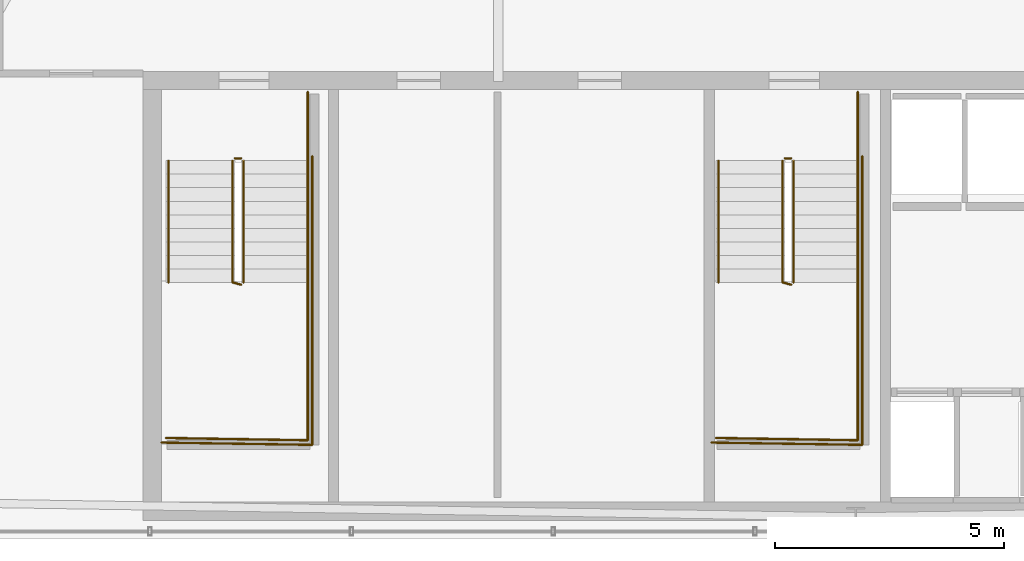
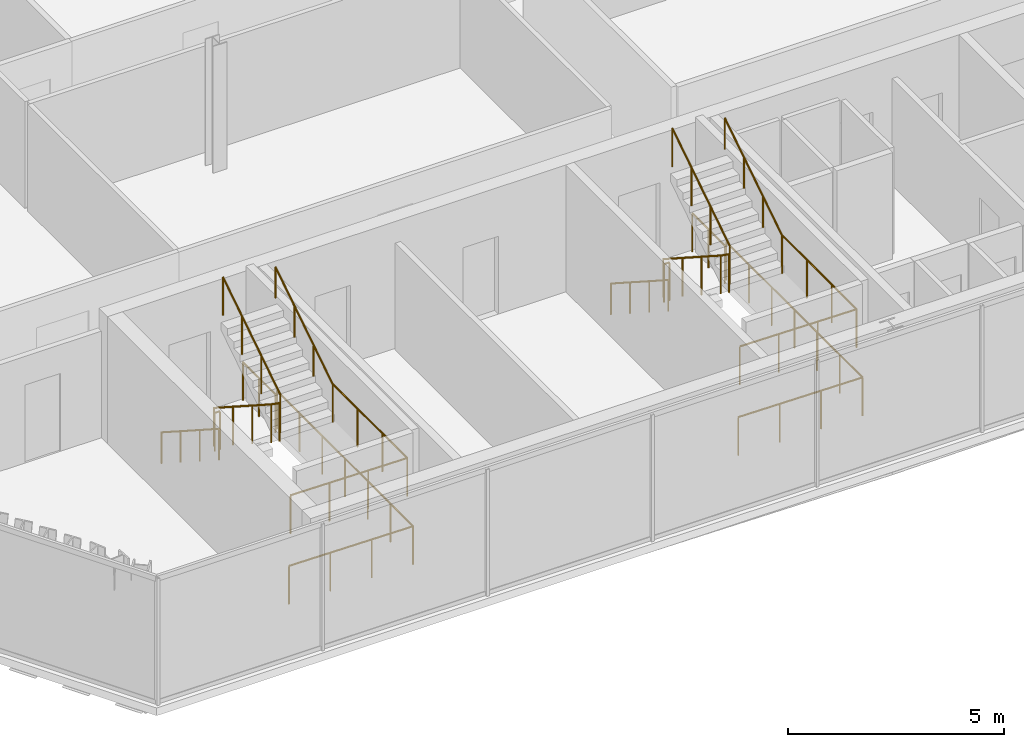
# One storey, part 30 of 32: 16 railings.
"""IFC4 building model written with IfcOpenShell, lengths in metres."""

from ifc_helpers import new_model, si_unit, direction, frame, origin, origin_2d, place, context, subcontext, project, spatial, circle, extrude, material, layer, layer_set, type_object, element, save


model = new_model("IFC4")

# Units and contexts
model_context = context("Model", 3, precision=1e-05, world=origin(), true_north=direction((0.0, 1.0)))
body_context = subcontext(model_context, "Body", "Model", "MODEL_VIEW")
ifc_project = project(units=[si_unit("LENGTHUNIT", "METRE"), si_unit("AREAUNIT", "SQUARE_METRE"), si_unit("VOLUMEUNIT", "CUBIC_METRE"), si_unit("PLANEANGLEUNIT", "RADIAN"), si_unit("MASSUNIT", "GRAM", prefix="KILO")], contexts=[model_context])

# Site, building, storey
site_placement = place(None, origin())
site = spatial("IfcSite", under=ifc_project, at=site_placement, CompositionType="ELEMENT")
building_placement = place(site_placement, origin())
building = spatial("IfcBuilding", under=site, at=building_placement, Name="Ndaravel Arena Tower", CompositionType="ELEMENT")
storey_placement = place(building_placement, frame((0.0, 0.0, 259.800048828125)))
storey = spatial("IfcBuildingStorey", under=building, at=storey_placement, Name="L63", CompositionType="ELEMENT", Elevation=259.800048828125)

# Railings
ifc_material_1 = material(Name="Steel S355", Category="steel")
ifc_layer_1 = layer(ifc_material_1, 0.06005859375)
ifc_layer_set_1 = layer_set([ifc_layer_1], Name="Steel S355")
railing_type_1 = type_object("IfcRailingType", Name="RAIL-STAIR-GD1100", PredefinedType="GUARDRAIL", material=ifc_layer_set_1)
railing_1_placement = place(storey_placement, frame((28.39990234375, 13.25, 0.18994140625)))
element("IfcRailing", 1, at=railing_1_placement, inside=storey, type_object=railing_type_1, Name="L63 ST-1 stair guard 1", PredefinedType="GUARDRAIL", context=body_context, shape_type="SweptSolid", body=[
    extrude(circle(Radius=0.02392578125, at=origin_2d()), frame((0.0, 0.0, 1.076171875), z_axis=(0.0, -0.840723540582, 0.54146461409), x_axis=(1.0, 0.0, 0.0)), (0.0, 0.0, 1.0), 3.157958984375),
    extrude(circle(Radius=0.02392578125, at=origin_2d()), frame((0.0, -2.655029296875, 2.7861328125), z_axis=(0.967074537263, -0.25449329928, 0.0), x_axis=(0.25449329928, 0.967074537263, 0.0)), (0.0, 0.0, 1.0), 0.19677734375),
    extrude(circle(Radius=0.02099609375, at=origin_2d()), origin(), (0.0, 0.0, 1.0), 1.052001953125),
    extrude(circle(Radius=0.02099609375, at=origin_2d()), frame((0.0, -0.885009765625, 0.570068359375)), (0.0, 0.0, 1.0), 1.052001953125),
    extrude(circle(Radius=0.02099609375, at=origin_2d()), frame((0.0, -1.77001953125, 1.139892578125)), (0.0, 0.0, 1.0), 1.052001953125),
    extrude(circle(Radius=0.02099609375, at=origin_2d()), frame((0.0, -2.655029296875, 1.7099609375)), (0.0, 0.0, 1.0), 1.052001953125),
    extrude(circle(Radius=0.02099609375, at=origin_2d()), frame((0.190185546875, -2.705078125, 1.7099609375)), (0.0, 0.0, 1.0), 1.052001953125),
])
railing_2_placement = place(storey_placement, frame((30.0400390625, 10.594970703125, 1.89990234375)))
element("IfcRailing", 2, at=railing_2_placement, inside=storey, type_object=railing_type_1, Name="L63 ST-1 stair guard 2", PredefinedType="GUARDRAIL", context=body_context, shape_type="SweptSolid", body=[
    extrude(circle(Radius=0.02392578125, at=origin_2d()), frame((0.0, 0.0, 1.076171875), z_axis=(0.0, -1.0, 0.0), x_axis=(1.0, 0.0, 0.0)), (0.0, 0.0, 1.0), 3.445068359375),
    extrude(circle(Radius=0.02392578125, at=origin_2d()), frame((0.0, -3.445068359375, 1.076171875), z_axis=(-0.999868861343, 0.016194447071, 0.0), x_axis=(-0.016194447071, -0.999868861343, 0.0)), (0.0, 0.0, 1.0), 3.090576171875),
    extrude(circle(Radius=0.02099609375, at=origin_2d()), origin(), (0.0, 0.0, 1.0), 1.052001953125),
    extrude(circle(Radius=0.02099609375, at=origin_2d()), frame((0.0, -1.1484375, 0.0)), (0.0, 0.0, 1.0), 1.052001953125),
    extrude(circle(Radius=0.02099609375, at=origin_2d()), frame((0.0, -2.296630859375, 0.0)), (0.0, 0.0, 1.0), 1.052001953125),
    extrude(circle(Radius=0.02099609375, at=origin_2d()), frame((0.0, -3.445068359375, 0.0)), (0.0, 0.0, 1.0), 1.052001953125),
    extrude(circle(Radius=0.02099609375, at=origin_2d()), frame((-1.030029296875, -3.428466796875, 0.0)), (0.0, 0.0, 1.0), 1.052001953125),
    extrude(circle(Radius=0.02099609375, at=origin_2d()), frame((-2.06005859375, -3.41162109375, 0.0)), (0.0, 0.0, 1.0), 1.052001953125),
    extrude(circle(Radius=0.02099609375, at=origin_2d()), frame((-3.090087890625, -3.39501953125, 0.0)), (0.0, 0.0, 1.0), 1.052001953125),
])
railing_3_placement = place(storey_placement, frame((28.639892578125, 10.594970703125, 2.08984375)))
element("IfcRailing", 3, at=railing_3_placement, inside=storey, type_object=railing_type_1, Name="L63 ST-1 stair guard 3", PredefinedType="GUARDRAIL", context=body_context, shape_type="SweptSolid", body=[
    extrude(circle(Radius=0.02392578125, at=origin_2d()), frame((0.0, 0.0, 1.076171875), z_axis=(0.0, 0.840688348013, 0.541519253134), x_axis=(-1.0, 0.0, 0.0)), (0.0, 0.0, 1.0), 3.158203125),
    extrude(circle(Radius=0.02099609375, at=origin_2d()), origin(), (0.0, 0.0, 1.0), 1.052001953125),
    extrude(circle(Radius=0.02099609375, at=origin_2d()), frame((0.0, 0.885009765625, 0.570068359375)), (0.0, 0.0, 1.0), 1.052001953125),
    extrude(circle(Radius=0.02099609375, at=origin_2d()), frame((0.0, 1.77001953125, 1.14013671875)), (0.0, 0.0, 1.0), 1.052001953125),
    extrude(circle(Radius=0.02099609375, at=origin_2d()), frame((0.0, 2.655029296875, 1.710205078125)), (0.0, 0.0, 1.0), 1.052001953125),
])
railing_4_placement = place(storey_placement, frame((28.449951171875, 13.300048828125, 0.0)))
element("IfcRailing", 4, at=railing_4_placement, inside=storey, type_object=railing_type_1, Name="L63 ST-1 stair guard 4", PredefinedType="GUARDRAIL", context=body_context, shape_type="SweptSolid", body=[
    extrude(circle(Radius=0.02392578125, at=origin_2d()), frame((0.0, 0.0, 1.076171875), z_axis=(1.0, 0.0, 0.0), x_axis=(0.0, 1.0, 0.0)), (0.0, 0.0, 1.0), 0.14013671875),
    extrude(circle(Radius=0.02099609375, at=origin_2d()), origin(), (0.0, 0.0, 1.0), 1.052001953125),
    extrude(circle(Radius=0.02099609375, at=origin_2d()), frame((0.14013671875, 0.0, 0.0)), (0.0, 0.0, 1.0), 1.052001953125),
])
railing_5_placement = place(storey_placement, frame((30.0400390625, 14.75, 0.0)))
element("IfcRailing", 5, at=railing_5_placement, inside=storey, type_object=railing_type_1, Name="L63 ST-1 stair guard 5", PredefinedType="GUARDRAIL", context=body_context, shape_type="SweptSolid", body=[
    extrude(circle(Radius=0.02392578125, at=origin_2d()), frame((0.0, 0.0, 1.076171875), z_axis=(0.0, -1.0, 0.0), x_axis=(1.0, 0.0, 0.0)), (0.0, 0.0, 1.0), 1.5),
    extrude(circle(Radius=0.02099609375, at=origin_2d()), origin(), (0.0, 0.0, 1.0), 1.052001953125),
    extrude(circle(Radius=0.02099609375, at=origin_2d()), frame((0.0, -0.75, 0.0)), (0.0, 0.0, 1.0), 1.052001953125),
    extrude(circle(Radius=0.02099609375, at=origin_2d()), frame((0.0, -1.5, 0.0)), (0.0, 0.0, 1.0), 1.052001953125),
])
railing_6_placement = place(storey_placement, frame((30.139892578125, 13.35009765625, 0.0)))
element("IfcRailing", 6, at=railing_6_placement, inside=storey, type_object=railing_type_1, Name="L63 ST-1 stair guard 6", PredefinedType="GUARDRAIL", context=body_context, shape_type="SweptSolid", body=[
    extrude(circle(Radius=0.02392578125, at=origin_2d()), frame((0.0, 0.0, 1.076171875), z_axis=(0.0, -1.0, 0.0), x_axis=(1.0, 0.0, 0.0)), (0.0, 0.0, 1.0), 6.300048828125),
    extrude(circle(Radius=0.02392578125, at=origin_2d()), frame((0.0, -6.300048828125, 1.076171875), z_axis=(-0.999884296952, 0.015211597839, 0.0), x_axis=(-0.015211597839, -0.999884296952, 0.0)), (0.0, 0.0, 1.0), 3.290283203125),
    extrude(circle(Radius=0.02099609375, at=origin_2d()), origin(), (0.0, 0.0, 1.0), 1.052001953125),
    extrude(circle(Radius=0.02099609375, at=origin_2d()), frame((0.0, -1.050048828125, 0.0)), (0.0, 0.0, 1.0), 1.052001953125),
    extrude(circle(Radius=0.02099609375, at=origin_2d()), frame((0.0, -2.10009765625, 0.0)), (0.0, 0.0, 1.0), 1.052001953125),
    extrude(circle(Radius=0.02099609375, at=origin_2d()), frame((0.0, -3.14990234375, 0.0)), (0.0, 0.0, 1.0), 1.052001953125),
    extrude(circle(Radius=0.02099609375, at=origin_2d()), frame((0.0, -4.199951171875, 0.0)), (0.0, 0.0, 1.0), 1.052001953125),
    extrude(circle(Radius=0.02099609375, at=origin_2d()), frame((0.0, -5.25, 0.0)), (0.0, 0.0, 1.0), 1.052001953125),
    extrude(circle(Radius=0.02099609375, at=origin_2d()), frame((0.0, -6.300048828125, 0.0)), (0.0, 0.0, 1.0), 1.052001953125),
    extrude(circle(Radius=0.02099609375, at=origin_2d()), frame((-1.0966796875, -6.283447265625, 0.0)), (0.0, 0.0, 1.0), 1.052001953125),
    extrude(circle(Radius=0.02099609375, at=origin_2d()), frame((-2.193115234375, -6.2666015625, 0.0)), (0.0, 0.0, 1.0), 1.052001953125),
    extrude(circle(Radius=0.02099609375, at=origin_2d()), frame((-3.289794921875, -6.25, 0.0)), (0.0, 0.0, 1.0), 1.052001953125),
])
railing_7_placement = place(storey_placement, frame((40.39990234375, 13.25, 0.18994140625)))
element("IfcRailing", 7, at=railing_7_placement, inside=storey, type_object=railing_type_1, Name="L63 ST-2 stair guard 1", PredefinedType="GUARDRAIL", context=body_context, shape_type="SweptSolid", body=[
    extrude(circle(Radius=0.02392578125, at=origin_2d()), frame((0.0, 0.0, 1.076171875), z_axis=(0.0, -0.840723540582, 0.54146461409), x_axis=(1.0, 0.0, 0.0)), (0.0, 0.0, 1.0), 3.157958984375),
    extrude(circle(Radius=0.02392578125, at=origin_2d()), frame((0.0, -2.655029296875, 2.7861328125), z_axis=(0.967074537263, -0.25449329928, 0.0), x_axis=(0.25449329928, 0.967074537263, 0.0)), (0.0, 0.0, 1.0), 0.19677734375),
    extrude(circle(Radius=0.02099609375, at=origin_2d()), origin(), (0.0, 0.0, 1.0), 1.052001953125),
    extrude(circle(Radius=0.02099609375, at=origin_2d()), frame((0.0, -0.885009765625, 0.570068359375)), (0.0, 0.0, 1.0), 1.052001953125),
    extrude(circle(Radius=0.02099609375, at=origin_2d()), frame((0.0, -1.77001953125, 1.139892578125)), (0.0, 0.0, 1.0), 1.052001953125),
    extrude(circle(Radius=0.02099609375, at=origin_2d()), frame((0.0, -2.655029296875, 1.7099609375)), (0.0, 0.0, 1.0), 1.052001953125),
    extrude(circle(Radius=0.02099609375, at=origin_2d()), frame((0.190185546875, -2.705078125, 1.7099609375)), (0.0, 0.0, 1.0), 1.052001953125),
])
railing_8_placement = place(storey_placement, frame((42.0400390625, 10.594970703125, 1.89990234375)))
element("IfcRailing", 8, at=railing_8_placement, inside=storey, type_object=railing_type_1, Name="L63 ST-2 stair guard 2", PredefinedType="GUARDRAIL", context=body_context, shape_type="SweptSolid", body=[
    extrude(circle(Radius=0.02392578125, at=origin_2d()), frame((0.0, 0.0, 1.076171875), z_axis=(0.0, -1.0, 0.0), x_axis=(1.0, 0.0, 0.0)), (0.0, 0.0, 1.0), 3.445068359375),
    extrude(circle(Radius=0.02392578125, at=origin_2d()), frame((0.0, -3.445068359375, 1.076171875), z_axis=(-0.999868861343, 0.016194447071, 0.0), x_axis=(-0.016194447071, -0.999868861343, 0.0)), (0.0, 0.0, 1.0), 3.090576171875),
    extrude(circle(Radius=0.02099609375, at=origin_2d()), origin(), (0.0, 0.0, 1.0), 1.052001953125),
    extrude(circle(Radius=0.02099609375, at=origin_2d()), frame((0.0, -1.1484375, 0.0)), (0.0, 0.0, 1.0), 1.052001953125),
    extrude(circle(Radius=0.02099609375, at=origin_2d()), frame((0.0, -2.296630859375, 0.0)), (0.0, 0.0, 1.0), 1.052001953125),
    extrude(circle(Radius=0.02099609375, at=origin_2d()), frame((0.0, -3.445068359375, 0.0)), (0.0, 0.0, 1.0), 1.052001953125),
    extrude(circle(Radius=0.02099609375, at=origin_2d()), frame((-1.030029296875, -3.428466796875, 0.0)), (0.0, 0.0, 1.0), 1.052001953125),
    extrude(circle(Radius=0.02099609375, at=origin_2d()), frame((-2.06005859375, -3.41162109375, 0.0)), (0.0, 0.0, 1.0), 1.052001953125),
    extrude(circle(Radius=0.02099609375, at=origin_2d()), frame((-3.090087890625, -3.39501953125, 0.0)), (0.0, 0.0, 1.0), 1.052001953125),
])
railing_9_placement = place(storey_placement, frame((40.639892578125, 10.594970703125, 2.08984375)))
element("IfcRailing", 9, at=railing_9_placement, inside=storey, type_object=railing_type_1, Name="L63 ST-2 stair guard 3", PredefinedType="GUARDRAIL", context=body_context, shape_type="SweptSolid", body=[
    extrude(circle(Radius=0.02392578125, at=origin_2d()), frame((0.0, 0.0, 1.076171875), z_axis=(0.0, 0.840688348013, 0.541519253134), x_axis=(-1.0, 0.0, 0.0)), (0.0, 0.0, 1.0), 3.158203125),
    extrude(circle(Radius=0.02099609375, at=origin_2d()), origin(), (0.0, 0.0, 1.0), 1.052001953125),
    extrude(circle(Radius=0.02099609375, at=origin_2d()), frame((0.0, 0.885009765625, 0.570068359375)), (0.0, 0.0, 1.0), 1.052001953125),
    extrude(circle(Radius=0.02099609375, at=origin_2d()), frame((0.0, 1.77001953125, 1.14013671875)), (0.0, 0.0, 1.0), 1.052001953125),
    extrude(circle(Radius=0.02099609375, at=origin_2d()), frame((0.0, 2.655029296875, 1.710205078125)), (0.0, 0.0, 1.0), 1.052001953125),
])
railing_10_placement = place(storey_placement, frame((40.449951171875, 13.300048828125, 0.0)))
element("IfcRailing", 10, at=railing_10_placement, inside=storey, type_object=railing_type_1, Name="L63 ST-2 stair guard 4", PredefinedType="GUARDRAIL", context=body_context, shape_type="SweptSolid", body=[
    extrude(circle(Radius=0.02392578125, at=origin_2d()), frame((0.0, 0.0, 1.076171875), z_axis=(1.0, 0.0, 0.0), x_axis=(0.0, 1.0, 0.0)), (0.0, 0.0, 1.0), 0.14013671875),
    extrude(circle(Radius=0.02099609375, at=origin_2d()), origin(), (0.0, 0.0, 1.0), 1.052001953125),
    extrude(circle(Radius=0.02099609375, at=origin_2d()), frame((0.14013671875, 0.0, 0.0)), (0.0, 0.0, 1.0), 1.052001953125),
])
railing_11_placement = place(storey_placement, frame((42.0400390625, 14.75, 0.0)))
element("IfcRailing", 11, at=railing_11_placement, inside=storey, type_object=railing_type_1, Name="L63 ST-2 stair guard 5", PredefinedType="GUARDRAIL", context=body_context, shape_type="SweptSolid", body=[
    extrude(circle(Radius=0.02392578125, at=origin_2d()), frame((0.0, 0.0, 1.076171875), z_axis=(0.0, -1.0, 0.0), x_axis=(1.0, 0.0, 0.0)), (0.0, 0.0, 1.0), 1.5),
    extrude(circle(Radius=0.02099609375, at=origin_2d()), origin(), (0.0, 0.0, 1.0), 1.052001953125),
    extrude(circle(Radius=0.02099609375, at=origin_2d()), frame((0.0, -0.75, 0.0)), (0.0, 0.0, 1.0), 1.052001953125),
    extrude(circle(Radius=0.02099609375, at=origin_2d()), frame((0.0, -1.5, 0.0)), (0.0, 0.0, 1.0), 1.052001953125),
])
railing_12_placement = place(storey_placement, frame((42.139892578125, 13.35009765625, 0.0)))
element("IfcRailing", 12, at=railing_12_placement, inside=storey, type_object=railing_type_1, Name="L63 ST-2 stair guard 6", PredefinedType="GUARDRAIL", context=body_context, shape_type="SweptSolid", body=[
    extrude(circle(Radius=0.02392578125, at=origin_2d()), frame((0.0, 0.0, 1.076171875), z_axis=(0.0, -1.0, 0.0), x_axis=(1.0, 0.0, 0.0)), (0.0, 0.0, 1.0), 6.300048828125),
    extrude(circle(Radius=0.02392578125, at=origin_2d()), frame((0.0, -6.300048828125, 1.076171875), z_axis=(-0.999884296952, 0.015211597839, 0.0), x_axis=(-0.015211597839, -0.999884296952, 0.0)), (0.0, 0.0, 1.0), 3.290283203125),
    extrude(circle(Radius=0.02099609375, at=origin_2d()), origin(), (0.0, 0.0, 1.0), 1.052001953125),
    extrude(circle(Radius=0.02099609375, at=origin_2d()), frame((0.0, -1.050048828125, 0.0)), (0.0, 0.0, 1.0), 1.052001953125),
    extrude(circle(Radius=0.02099609375, at=origin_2d()), frame((0.0, -2.10009765625, 0.0)), (0.0, 0.0, 1.0), 1.052001953125),
    extrude(circle(Radius=0.02099609375, at=origin_2d()), frame((0.0, -3.14990234375, 0.0)), (0.0, 0.0, 1.0), 1.052001953125),
    extrude(circle(Radius=0.02099609375, at=origin_2d()), frame((0.0, -4.199951171875, 0.0)), (0.0, 0.0, 1.0), 1.052001953125),
    extrude(circle(Radius=0.02099609375, at=origin_2d()), frame((0.0, -5.25, 0.0)), (0.0, 0.0, 1.0), 1.052001953125),
    extrude(circle(Radius=0.02099609375, at=origin_2d()), frame((0.0, -6.300048828125, 0.0)), (0.0, 0.0, 1.0), 1.052001953125),
    extrude(circle(Radius=0.02099609375, at=origin_2d()), frame((-1.0966796875, -6.283447265625, 0.0)), (0.0, 0.0, 1.0), 1.052001953125),
    extrude(circle(Radius=0.02099609375, at=origin_2d()), frame((-2.193115234375, -6.2666015625, 0.0)), (0.0, 0.0, 1.0), 1.052001953125),
    extrude(circle(Radius=0.02099609375, at=origin_2d()), frame((-3.289794921875, -6.25, 0.0)), (0.0, 0.0, 1.0), 1.052001953125),
])
ifc_material_2 = material(Name="Steel S355", Category="steel")
ifc_layer_2 = layer(ifc_material_2, 0.050048828125)
ifc_layer_set_2 = layer_set([ifc_layer_2], Name="Steel S355")
railing_type_2 = type_object("IfcRailingType", Name="RAIL-STAIR-HR920", PredefinedType="HANDRAIL", material=ifc_layer_set_2)
railing_13_placement = place(storey_placement, frame((27.0, 13.25, 0.18994140625)))
element("IfcRailing", 13, at=railing_13_placement, inside=storey, type_object=railing_type_2, Name="L63 ST-1 stair handrail 1", PredefinedType="HANDRAIL", context=body_context, shape_type="SweptSolid", body=[
    extrude(circle(Radius=0.02392578125, at=origin_2d()), frame((0.0, 0.0, 0.8759765625), z_axis=(0.0, -0.840723540582, 0.54146461409), x_axis=(1.0, 0.0, 0.0)), (0.0, 0.0, 1.0), 3.157958984375),
    extrude(circle(Radius=0.02099609375, at=origin_2d()), origin(), (0.0, 0.0, 1.0), 0.851806640625),
    extrude(circle(Radius=0.02099609375, at=origin_2d()), frame((0.0, -0.885009765625, 0.570068359375)), (0.0, 0.0, 1.0), 0.851806640625),
    extrude(circle(Radius=0.02099609375, at=origin_2d()), frame((0.0, -1.77001953125, 1.139892578125)), (0.0, 0.0, 1.0), 0.851806640625),
    extrude(circle(Radius=0.02099609375, at=origin_2d()), frame((0.0, -2.655029296875, 1.7099609375)), (0.0, 0.0, 1.0), 0.851806640625),
])
railing_14_placement = place(storey_placement, frame((30.0400390625, 10.594970703125, 2.08984375)))
element("IfcRailing", 14, at=railing_14_placement, inside=storey, type_object=railing_type_2, Name="L63 ST-1 stair handrail 2", PredefinedType="HANDRAIL", context=body_context, shape_type="SweptSolid", body=[
    extrude(circle(Radius=0.02392578125, at=origin_2d()), frame((0.0, 0.0, 0.8759765625), z_axis=(0.0, 0.840688348013, 0.541519253134), x_axis=(-1.0, 0.0, 0.0)), (0.0, 0.0, 1.0), 3.158203125),
    extrude(circle(Radius=0.02099609375, at=origin_2d()), origin(), (0.0, 0.0, 1.0), 0.851806640625),
    extrude(circle(Radius=0.02099609375, at=origin_2d()), frame((0.0, 0.885009765625, 0.570068359375)), (0.0, 0.0, 1.0), 0.851806640625),
    extrude(circle(Radius=0.02099609375, at=origin_2d()), frame((0.0, 1.77001953125, 1.14013671875)), (0.0, 0.0, 1.0), 0.851806640625),
    extrude(circle(Radius=0.02099609375, at=origin_2d()), frame((0.0, 2.655029296875, 1.710205078125)), (0.0, 0.0, 1.0), 0.851806640625),
])
railing_15_placement = place(storey_placement, frame((39.0, 13.25, 0.18994140625)))
element("IfcRailing", 15, at=railing_15_placement, inside=storey, type_object=railing_type_2, Name="L63 ST-2 stair handrail 1", PredefinedType="HANDRAIL", context=body_context, shape_type="SweptSolid", body=[
    extrude(circle(Radius=0.02392578125, at=origin_2d()), frame((0.0, 0.0, 0.8759765625), z_axis=(0.0, -0.840723540582, 0.54146461409), x_axis=(1.0, 0.0, 0.0)), (0.0, 0.0, 1.0), 3.157958984375),
    extrude(circle(Radius=0.02099609375, at=origin_2d()), origin(), (0.0, 0.0, 1.0), 0.851806640625),
    extrude(circle(Radius=0.02099609375, at=origin_2d()), frame((0.0, -0.885009765625, 0.570068359375)), (0.0, 0.0, 1.0), 0.851806640625),
    extrude(circle(Radius=0.02099609375, at=origin_2d()), frame((0.0, -1.77001953125, 1.139892578125)), (0.0, 0.0, 1.0), 0.851806640625),
    extrude(circle(Radius=0.02099609375, at=origin_2d()), frame((0.0, -2.655029296875, 1.7099609375)), (0.0, 0.0, 1.0), 0.851806640625),
])
railing_16_placement = place(storey_placement, frame((42.0400390625, 10.594970703125, 2.08984375)))
element("IfcRailing", 16, at=railing_16_placement, inside=storey, type_object=railing_type_2, Name="L63 ST-2 stair handrail 2", PredefinedType="HANDRAIL", context=body_context, shape_type="SweptSolid", body=[
    extrude(circle(Radius=0.02392578125, at=origin_2d()), frame((0.0, 0.0, 0.8759765625), z_axis=(0.0, 0.840688348013, 0.541519253134), x_axis=(-1.0, 0.0, 0.0)), (0.0, 0.0, 1.0), 3.158203125),
    extrude(circle(Radius=0.02099609375, at=origin_2d()), origin(), (0.0, 0.0, 1.0), 0.851806640625),
    extrude(circle(Radius=0.02099609375, at=origin_2d()), frame((0.0, 0.885009765625, 0.570068359375)), (0.0, 0.0, 1.0), 0.851806640625),
    extrude(circle(Radius=0.02099609375, at=origin_2d()), frame((0.0, 1.77001953125, 1.14013671875)), (0.0, 0.0, 1.0), 0.851806640625),
    extrude(circle(Radius=0.02099609375, at=origin_2d()), frame((0.0, 2.655029296875, 1.710205078125)), (0.0, 0.0, 1.0), 0.851806640625),
])

save(model, "model.ifc")
